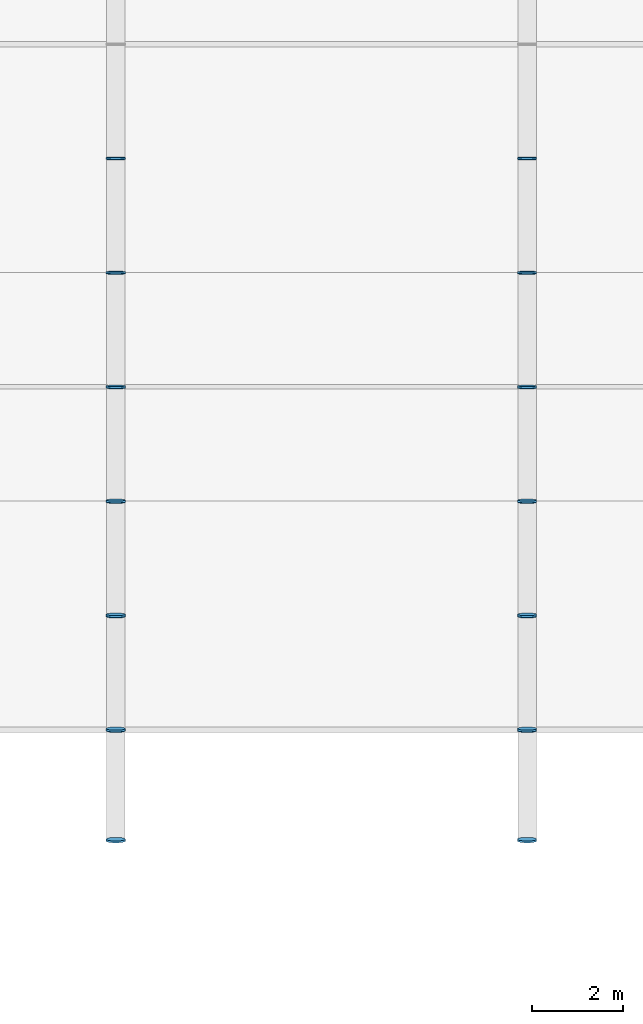
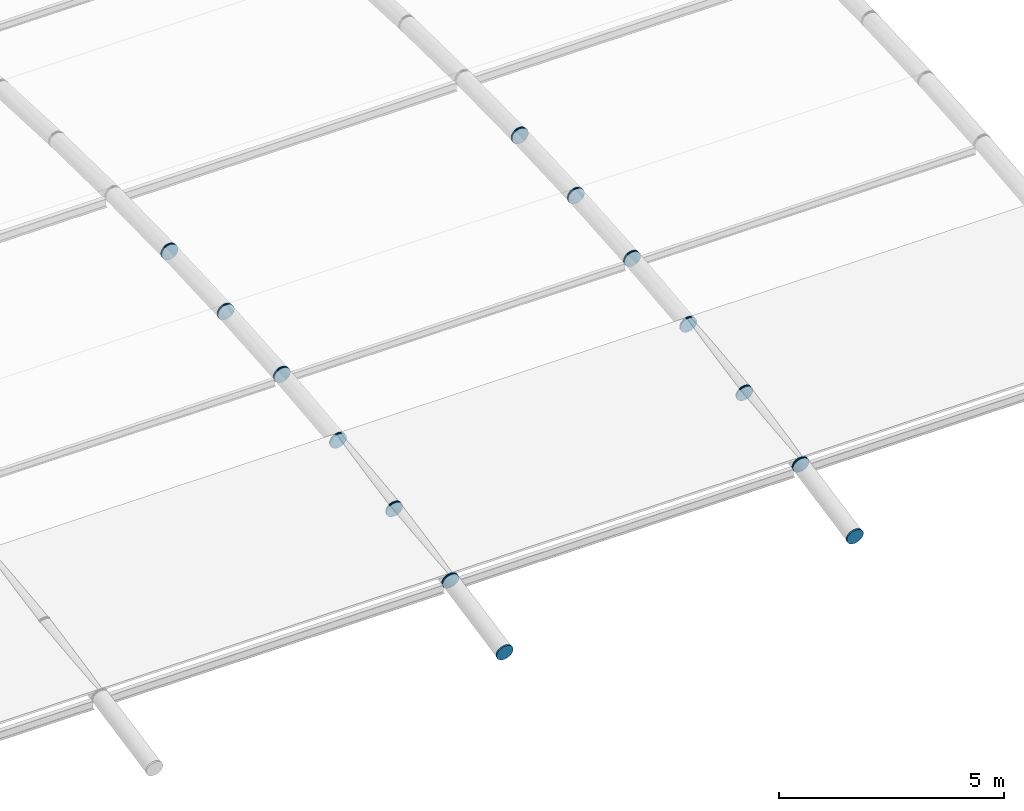
# One storey, part 65 of 105: 26 discrete accessories.
"""IFC4 building model written with IfcOpenShell, lengths in metres."""

from ifc_helpers import new_model, si_unit, direction, frame, origin, origin_2d, place, context, subcontext, project, spatial, circle, extrude, material, element, save


model = new_model("IFC4")

# Units and contexts
model_context = context("Model", 3, precision=1e-05, world=origin(), true_north=direction((0.0, 1.0)))
body_context = subcontext(model_context, "Body", "Model", "MODEL_VIEW")
ifc_project = project(units=[si_unit("LENGTHUNIT", "METRE"), si_unit("AREAUNIT", "SQUARE_METRE"), si_unit("VOLUMEUNIT", "CUBIC_METRE"), si_unit("PLANEANGLEUNIT", "RADIAN"), si_unit("MASSUNIT", "GRAM", prefix="KILO")], contexts=[model_context])

# Site, building, storey
site_placement = place(None, origin())
site = spatial("IfcSite", under=ifc_project, at=site_placement, CompositionType="ELEMENT")
building_placement = place(site_placement, origin())
building = spatial("IfcBuilding", under=site, at=building_placement, Name="Marlcrest Central Station", CompositionType="ELEMENT")
storey_placement = place(building_placement, frame((0.0, 0.0, 15.0)))
storey = spatial("IfcBuildingStorey", under=building, at=storey_placement, Name="L03", CompositionType="ELEMENT", Elevation=15.0)

# Discrete accessories
ifc_material = material(Name="Steel S355", Category="steel")
for number, where, z_axis, x_axis, name in (
    (1, (54.0, 48.5654296875, -0.0859375), (0.0, 0.980359417961, 0.197219196874), (-1.0, 0.0, 0.0), "endcap-mem-AC-01-L03-00779-s"),
    (2, (54.0, 50.9755859375, 0.39892578125), (0.0, 0.980359417961, 0.197219196874), (-1.0, 0.0, 0.0), "endcap-mem-AC-01-L03-00779-e"),
    (3, (54.0, 50.985107421875, 0.4013671875), (0.0, 0.98574109921, 0.168269086076), (-1.0, 0.0, 0.0), "endcap-mem-AC-01-L03-00783-s"),
    (4, (54.0, 53.475341796875, 0.826416015625), (0.0, 0.98574109921, 0.168269086076), (-1.0, 0.0, 0.0), "endcap-mem-AC-01-L03-00783-e"),
    (5, (54.0, 53.485107421875, 0.82861328125), (0.0, 0.990402740232, 0.138211476152), (-1.0, 0.0, 0.0), "endcap-mem-AC-01-L03-00787-s"),
    (6, (54.0, 55.975341796875, 1.176025390625), (0.0, 0.990402740232, 0.138211476152), (-1.0, 0.0, 0.0), "endcap-mem-AC-01-L03-00787-e"),
    (7, (54.0, 55.985107421875, 1.177734375), (0.0, 0.994155341034, 0.107959056565), (-1.0, 0.0, 0.0), "endcap-mem-AC-01-L03-00791-s"),
    (8, (54.0, 58.47509765625, 1.4482421875), (0.0, 0.994155341034, 0.107959056565), (-1.0, 0.0, 0.0), "endcap-mem-AC-01-L03-00791-e"),
    (9, (54.0, 58.485107421875, 1.44970703125), (0.0, 0.996999825732, 0.077403795064), (-1.0, 0.0, 0.0), "endcap-mem-AC-01-L03-00795-s"),
    (10, (54.0, 60.97509765625, 1.64306640625), (0.0, 0.996999825732, 0.077403795064), (-1.0, 0.0, 0.0), "endcap-mem-AC-01-L03-00795-e"),
    (11, (54.0, 60.985107421875, 1.644287109375), (0.0, 0.998921349185, 0.046434234591), (-1.0, 0.0, 0.0), "endcap-mem-AC-01-L03-00799-s"),
    (12, (54.0, 63.47509765625, 1.760009765625), (0.0, 0.998921349185, 0.046434234591), (-1.0, 0.0, 0.0), "endcap-mem-AC-01-L03-00799-e"),
    (13, (54.0, 63.485107421875, 1.760986328125), (0.0, 0.999879472592, 0.01552547228), (-1.0, 0.0, 0.0), "endcap-mem-AC-01-L03-00803-s"),
    (14, (63.0, 48.5654296875, -0.0859375), (0.0, 0.980359417961, 0.197219196874), (-1.0, 0.0, 0.0), "endcap-mem-AC-01-L03-00895-s"),
    (15, (63.0, 50.9755859375, 0.39892578125), (0.0, 0.980359417961, 0.197219196874), (-1.0, 0.0, 0.0), "endcap-mem-AC-01-L03-00895-e"),
    (16, (63.0, 50.985107421875, 0.4013671875), (0.0, 0.98574109921, 0.168269086076), (-1.0, 0.0, 0.0), "endcap-mem-AC-01-L03-00899-s"),
    (17, (63.0, 53.475341796875, 0.826416015625), (0.0, 0.98574109921, 0.168269086076), (-1.0, 0.0, 0.0), "endcap-mem-AC-01-L03-00899-e"),
    (18, (63.0, 53.485107421875, 0.82861328125), (0.0, 0.990402740232, 0.138211476152), (-1.0, 0.0, 0.0), "endcap-mem-AC-01-L03-00903-s"),
    (19, (63.0, 55.975341796875, 1.176025390625), (0.0, 0.990402740232, 0.138211476152), (-1.0, 0.0, 0.0), "endcap-mem-AC-01-L03-00903-e"),
    (20, (63.0, 55.985107421875, 1.177734375), (0.0, 0.994155341034, 0.107959056565), (-1.0, 0.0, 0.0), "endcap-mem-AC-01-L03-00907-s"),
    (21, (63.0, 58.47509765625, 1.4482421875), (0.0, 0.994155341034, 0.107959056565), (-1.0, 0.0, 0.0), "endcap-mem-AC-01-L03-00907-e"),
    (22, (63.0, 58.485107421875, 1.44970703125), (0.0, 0.996999825732, 0.077403795064), (-1.0, 0.0, 0.0), "endcap-mem-AC-01-L03-00911-s"),
    (23, (63.0, 60.97509765625, 1.64306640625), (0.0, 0.996999825732, 0.077403795064), (-1.0, 0.0, 0.0), "endcap-mem-AC-01-L03-00911-e"),
    (24, (63.0, 60.985107421875, 1.644287109375), (0.0, 0.998921349185, 0.046434234591), (-1.0, 0.0, 0.0), "endcap-mem-AC-01-L03-00915-s"),
    (25, (63.0, 63.47509765625, 1.760009765625), (0.0, 0.998921349185, 0.046434234591), (-1.0, 0.0, 0.0), "endcap-mem-AC-01-L03-00915-e"),
    (26, (63.0, 63.485107421875, 1.760986328125), (0.0, 0.999879472592, 0.01552547228), (-1.0, 0.0, 0.0), "endcap-mem-AC-01-L03-00919-s"),
):
    element("IfcDiscreteAccessory", number, at=place(storey_placement, frame(where, z_axis=z_axis, x_axis=x_axis)), inside=storey, material=ifc_material, Name=name, ObjectType="END_CAP_PLATE", PredefinedType="BRACKET", context=body_context, shape_type="SweptSolid", body=[
        extrude(circle(Radius=0.211181640625, at=origin_2d()), origin(), (0.0, 0.0, 1.0), 0.0400390625),
    ])

save(model, "model.ifc")
